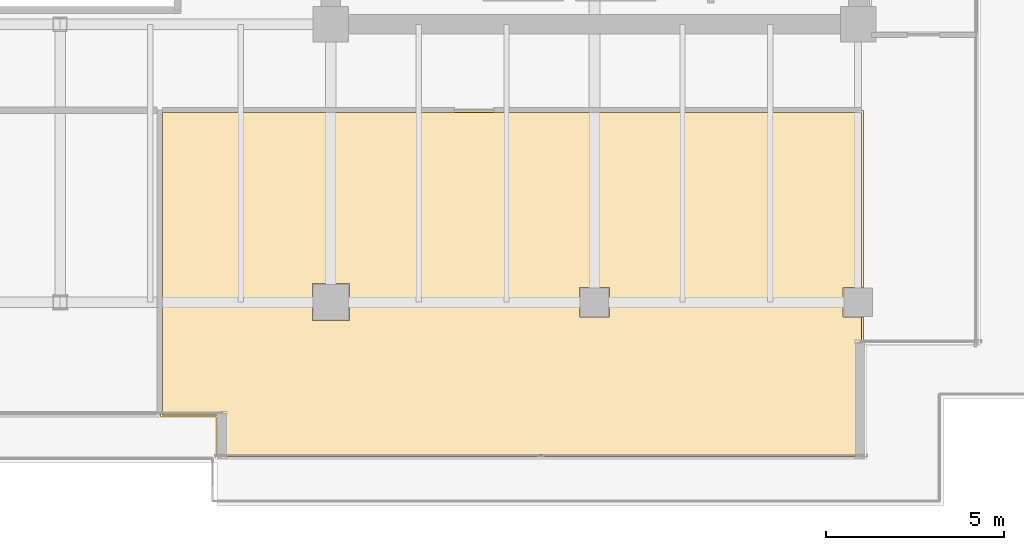
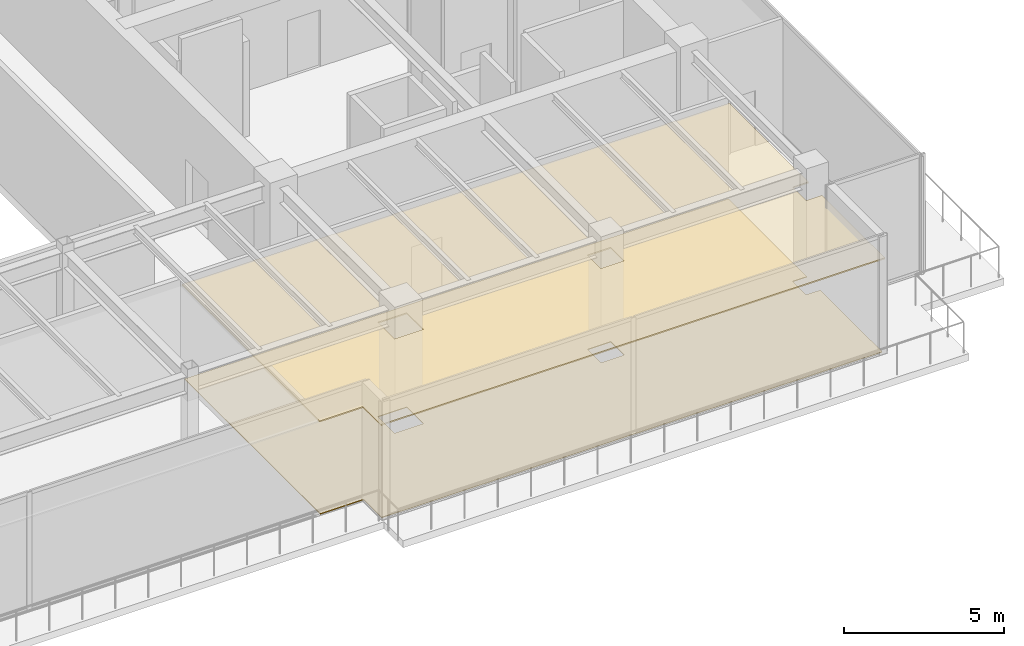
# One storey, part 34 of 37: 2 coverings.
"""IFC4 building model written with IfcOpenShell, lengths in metres."""

from ifc_helpers import new_model, si_unit, direction, frame, origin, place, context, subcontext, project, spatial, polyline, outline, extrude, material, layer, layer_set, type_object, element, save


model = new_model("IFC4")

# Units and contexts
model_context = context("Model", 3, precision=1e-05, world=origin(), true_north=direction((0.0, 1.0)))
body_context = subcontext(model_context, "Body", "Model", "MODEL_VIEW")
ifc_project = project(units=[si_unit("LENGTHUNIT", "METRE"), si_unit("AREAUNIT", "SQUARE_METRE"), si_unit("VOLUMEUNIT", "CUBIC_METRE"), si_unit("PLANEANGLEUNIT", "RADIAN"), si_unit("MASSUNIT", "GRAM", prefix="KILO")], contexts=[model_context])

# Site, building, storey
site_placement = place(None, origin())
site = spatial("IfcSite", under=ifc_project, at=site_placement, CompositionType="ELEMENT")
building_placement = place(site_placement, origin())
building = spatial("IfcBuilding", under=site, at=building_placement, Name="Haelvirn Gate Laboratories", CompositionType="ELEMENT")
storey_placement = place(building_placement, frame((0.0, 0.0, 196.60009765625)))
storey = spatial("IfcBuildingStorey", under=building, at=storey_placement, Name="L47", CompositionType="ELEMENT", Elevation=196.60009765625)

# Coverings
ifc_material_1 = material(Name="Washable cleanroom gasketed aluminium ceiling", Category="aluminium")
ifc_layer_1 = layer(ifc_material_1, 0.050048828125, Name="COV-CEIL-CLN")
ifc_layer_set_1 = layer_set([ifc_layer_1], Name="Washable cleanroom gasketed aluminium ceiling")
covering_type_1 = type_object("IfcCoveringType", Name="COV-CEIL-CLN", PredefinedType="CEILING", material=ifc_layer_set_1)
covering_1_placement = place(storey_placement, frame((0.0, 0.0, 3.56982421875)))
element("IfcCovering", 1, at=covering_1_placement, inside=storey, type_object=covering_type_1, Name="L47 Laboratory Acoustic Ceiling CEIL-SP-L47-S-03", PredefinedType="CEILING", context=body_context, shape_type="SweptSolid", body=[
    extrude(outline(polyline([(67.550048828125, 12.3798828125), (67.550048828125, 7.419921875), (66.97998046875, 7.419921875), (66.97998046875, 6.580078125), (67.550048828125, 6.580078125), (67.550048828125, 2.64990234375), (49.3798828125, 2.64990234375), (49.3798828125, 3.780029296875), (47.820068359375, 3.780029296875), (47.820068359375, 12.3798828125), (67.550048828125, 12.3798828125)]), holes=[polyline([(52.080078125, 6.47998046875), (53.1201171875, 6.47998046875), (53.1201171875, 7.52001953125), (52.080078125, 7.52001953125), (52.080078125, 6.47998046875)]), polyline([(59.580078125, 7.419921875), (59.580078125, 6.580078125), (60.419921875, 6.580078125), (60.419921875, 7.419921875), (59.580078125, 7.419921875)])]), origin(), (0.0, 0.0, 1.0), 0.050048828125),
])
ifc_material_2 = material(Name="Honed granite concourse terrazzo flooring", Category="masonry")
ifc_layer_2 = layer(ifc_material_2, 0.02490234375, Name="COV-FLR-TERRA")
ifc_layer_set_2 = layer_set([ifc_layer_2], Name="Honed granite concourse terrazzo flooring")
covering_type_2 = type_object("IfcCoveringType", Name="COV-FLR-TERRA", PredefinedType="FLOORING", material=ifc_layer_set_2)
covering_2_placement = place(storey_placement, origin())
element("IfcCovering", 2, at=covering_2_placement, inside=storey, type_object=covering_type_2, Name="L47 Seamless Laboratory Flooring FLR-SP-L47-S-03", PredefinedType="FLOORING", context=body_context, shape_type="SweptSolid", body=[
    extrude(outline(polyline([(49.43994140625, 3.800048828125), (49.439697265625, 3.803955078125), (49.439208984375, 3.807861328125), (49.438232421875, 3.8115234375), (49.43701171875, 3.815185546875), (49.435302734375, 3.81884765625), (49.433349609375, 3.822265625), (49.430908203125, 3.825439453125), (49.42822265625, 3.828369140625), (49.42529296875, 3.830810546875), (49.422119140625, 3.833251953125), (49.4189453125, 3.835205078125), (49.415283203125, 3.8369140625), (49.41162109375, 3.83837890625), (49.40771484375, 3.839111328125), (49.40380859375, 3.83984375), (49.39990234375, 3.840087890625), (47.8798828125, 3.840087890625), (47.8798828125, 12.320068359375), (67.489990234375, 12.320068359375), (67.489990234375, 7.419921875), (66.97998046875, 7.419921875), (66.97998046875, 6.580078125), (67.489990234375, 6.580078125), (67.489990234375, 2.7099609375), (49.43994140625, 2.7099609375), (49.43994140625, 3.800048828125)]), holes=[polyline([(53.1201171875, 6.47998046875), (53.1201171875, 7.52001953125), (52.080078125, 7.52001953125), (52.080078125, 6.47998046875), (53.1201171875, 6.47998046875)]), polyline([(59.580078125, 6.580078125), (60.419921875, 6.580078125), (60.419921875, 7.419921875), (59.580078125, 7.419921875), (59.580078125, 6.580078125)])]), origin(), (0.0, 0.0, 1.0), 0.02490234375),
])

save(model, "model.ifc")
